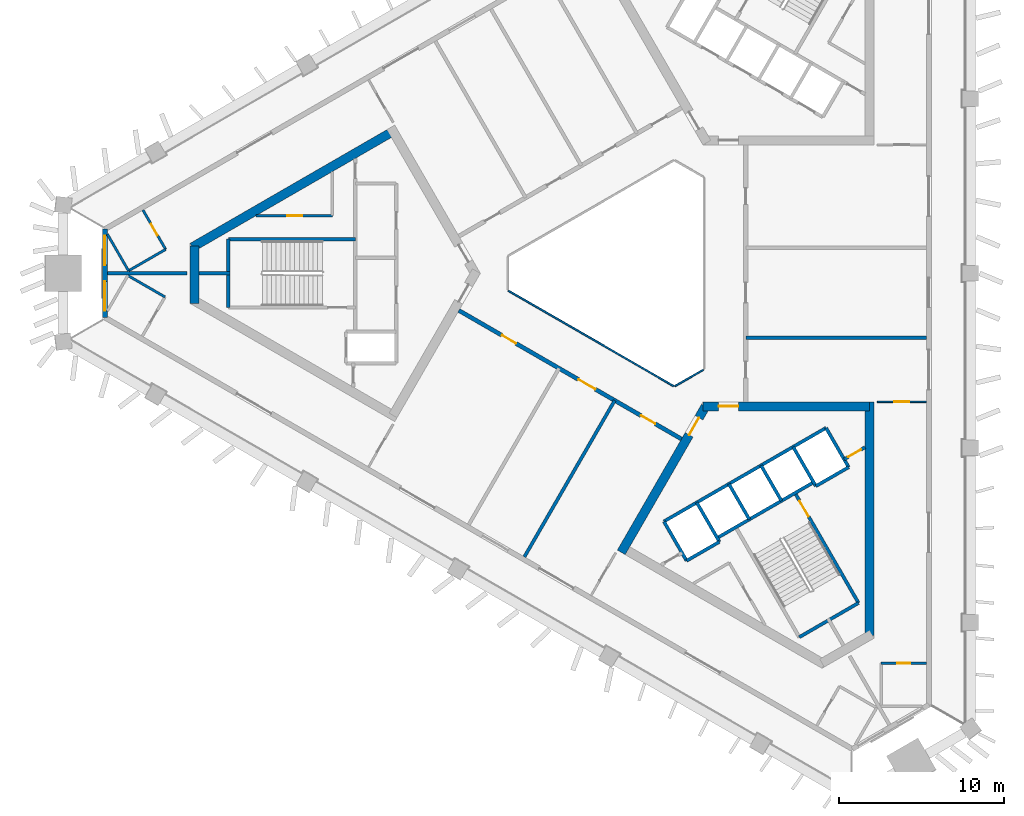
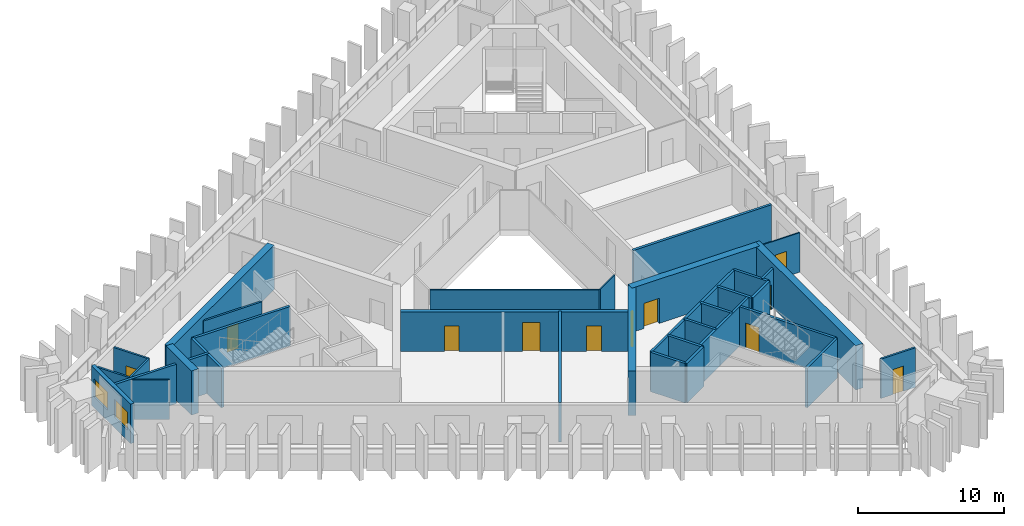
# One storey, part 3 of 9: 35 walls, 11 doors, 2 windows, 13 openings.
"""IFC4 building model written with IfcOpenShell, lengths in metres."""

from ifc_helpers import new_model, si_unit, direction, frame, frame_2d, origin, place, context, subcontext, project, spatial, rectangle, extrude, material, layer, layer_set, type_object, element, fill, save


model = new_model("IFC4")

# Units and contexts
model_context = context("Model", 3, precision=1e-05, world=origin(), true_north=direction((0.0, 1.0)))
body_context = subcontext(model_context, "Body", "Model", "MODEL_VIEW")
ifc_project = project(units=[si_unit("LENGTHUNIT", "METRE"), si_unit("AREAUNIT", "SQUARE_METRE"), si_unit("VOLUMEUNIT", "CUBIC_METRE"), si_unit("PLANEANGLEUNIT", "RADIAN"), si_unit("MASSUNIT", "GRAM", prefix="KILO")], contexts=[model_context])

# Site, building, storey
site_placement = place(None, origin())
site = spatial("IfcSite", under=ifc_project, at=site_placement, CompositionType="ELEMENT")
building_placement = place(site_placement, origin())
building = spatial("IfcBuilding", under=site, at=building_placement, Name="Jabali Bay Hotel Tower and Convention Centre", CompositionType="ELEMENT")
storey_placement = place(building_placement, frame((0.0, 0.0, 193.300048828125)))
storey = spatial("IfcBuildingStorey", under=building, at=storey_placement, Name="L47", CompositionType="ELEMENT", Elevation=193.300048828125)

# Walls
ifc_material_1 = material(Name="Fire-resistant glazing", Category="glass")
ifc_layer_1 = layer(ifc_material_1, 0.10009765625)
ifc_layer_set_1 = layer_set([ifc_layer_1], Name="Fire-resistant glazing")
wall_type_1 = type_object("IfcWallType", Name="Atrium glazed screen 100", PredefinedType="PARTITIONING", material=ifc_layer_set_1)
wall_1_placement = place(storey_placement, frame((67.7021484375, 78.947998046875, 0.0), z_axis=(0.0, 0.0, 1.0), x_axis=(0.866026658274, -0.499997827154, 0.0)))
element("IfcWall", 1, at=wall_1_placement, inside=storey, type_object=wall_type_1, Name="Atrium screen 5 L47", PredefinedType="PARTITIONING", context=body_context, shape_type="SweptSolid", body=[
    extrude(rectangle(XDim=11.58837890625, YDim=0.10009765625, at=frame_2d((5.794189453125, 0.0))), origin(), (0.0, 0.0, 1.0), 3.300048828125),
])
wall_2_placement = place(storey_placement, frame((77.7978515625, 73.15380859375, 0.0), z_axis=(0.0, 0.0, 1.0), x_axis=(0.866041268327, 0.499972520799, 0.0)))
element("IfcWall", 2, at=wall_2_placement, inside=storey, type_object=wall_type_1, Name="Atrium screen 6 L47", PredefinedType="PARTITIONING", context=body_context, shape_type="SweptSolid", body=[
    extrude(rectangle(XDim=2.0, YDim=0.10009765625, at=frame_2d((1.0, 0.0))), origin(), (0.0, 0.0, 1.0), 3.300048828125),
])
ifc_material_2 = material(Name="Concrete C40", Category="concrete")
ifc_layer_2 = layer(ifc_material_2, 0.199951171875)
ifc_layer_set_2 = layer_set([ifc_layer_2], Name="Concrete C40")
wall_type_2 = type_object("IfcWallType", Name="Core partition wall 200", PredefinedType="PARTITIONING", material=ifc_layer_set_2)
wall_3_placement = place(storey_placement, frame((50.820068359375, 80.0, 0.0), z_axis=(0.0, 0.0, 1.0), x_axis=(-1.0, 0.0, 0.0)))
element("IfcWall", 3, at=wall_3_placement, inside=storey, type_object=wall_type_2, Name="Core wall 0.4 L47", PredefinedType="PARTITIONING", context=body_context, shape_type="SweptSolid", body=[
    extrude(rectangle(XDim=1.873046875, YDim=0.199951171875, at=frame_2d((0.9365234375, 0.0))), origin(), (0.0, 0.0, 1.0), 3.300048828125),
])

# Wall, opening, door
wall_4_placement = place(storey_placement, frame((88.064697265625, 68.72119140625, 0.0), z_axis=(0.0, 0.0, 1.0), x_axis=(0.865982457891, 0.500074377092, 0.0)))
wall_4 = element("IfcWall", 4, at=wall_4_placement, inside=storey, type_object=wall_type_2, Name="Core wall 2.12 L47", PredefinedType="PARTITIONING", context=body_context, shape_type="SweptSolid", body=[
    extrude(rectangle(XDim=1.461181640625, YDim=0.199951171875, at=frame_2d((0.73046875, 0.0))), origin(), (0.0, 0.0, 1.0), 3.300048828125),
])
opening_1_placement = place(wall_4_placement, frame((0.280517578125, 0.0, 0.0)))
opening_1 = element("IfcOpeningElement", 5, at=opening_1_placement, cuts=wall_4, Name="Opening D1024", PredefinedType="OPENING", context=body_context, shape_type="SweptSolid", body=[
    extrude(rectangle(XDim=0.89990234375, YDim=2.10009765625, at=frame_2d((0.449951171875, 1.050048828125))), frame((0.0, 0.1103515625, 0.0), z_axis=(0.0, -1.0, 0.0), x_axis=(1.0, 0.0, 0.0)), (0.0, 0.0, 1.0), 0.220947265625),
])
ifc_material_3 = material(Name="Fire-rated steel door", Category="steel")
door_type_1 = type_object("IfcDoorType", Name="Vestibule fire door 900 x 2100", OperationType="NOTDEFINED", PredefinedType="NOTDEFINED", material=ifc_material_3)
door_1_placement = place(opening_1_placement, origin())
door_1 = element("IfcDoor", 6, at=door_1_placement, inside=storey, type_object=door_type_1, Name="Vestibule fire door D1024", OperationType="SINGLE_SWING_LEFT", OverallHeight=2.10009765625, OverallWidth=0.89990234375, PredefinedType="NOTDEFINED", context=body_context, shape_type="SweptSolid", body=[
    extrude(rectangle(XDim=0.89990234375, YDim=2.10009765625, at=frame_2d((0.449951171875, 1.050048828125))), frame((0.0, 0.02490234375, 0.0), z_axis=(0.0, -1.0, 0.0), x_axis=(1.0, 0.0, 0.0)), (0.0, 0.0, 1.0), 0.050048828125),
])
fill(opening_1, door_1)

ifc_material_4 = material(Name="Fire-rated board partition")
ifc_layer_3 = layer(ifc_material_4, 0.14990234375)
ifc_layer_set_3 = layer_set([ifc_layer_3], Name="Fire-rated board partition")
wall_type_3 = type_object("IfcWallType", Name="Core room partition 150", PredefinedType="PARTITIONING", material=ifc_layer_set_3)
wall_5_placement = place(storey_placement, frame((57.02001953125, 83.5, 0.0), z_axis=(0.0, 0.0, 1.0), x_axis=(-1.0, 0.0, 0.0)))
wall_5 = element("IfcWall", 7, at=wall_5_placement, inside=storey, type_object=wall_type_3, Name="Core wall 0.1 L47", PredefinedType="PARTITIONING", context=body_context, shape_type="SweptSolid", body=[
    extrude(rectangle(XDim=4.617919921875, YDim=0.14990234375, at=frame_2d((2.30908203125, 0.0))), origin(), (0.0, 0.0, 1.0), 3.300048828125),
])
opening_2_placement = place(wall_5_placement, frame((1.83154296875, 0.0, 0.0)))
opening_2 = element("IfcOpeningElement", 8, at=opening_2_placement, cuts=wall_5, Name="Opening D1015", PredefinedType="OPENING", context=body_context, shape_type="SweptSolid", body=[
    extrude(rectangle(XDim=0.89990234375, YDim=2.10009765625, at=frame_2d((0.449951171875, 1.050048828125))), frame((0.0, 0.08544921875, 0.0), z_axis=(0.0, -1.0, 0.0), x_axis=(1.0, 0.0, 0.0)), (0.0, 0.0, 1.0), 0.1708984375),
])
door_type_2 = type_object("IfcDoorType", Name="Core room door 900 x 2100", OperationType="NOTDEFINED", PredefinedType="NOTDEFINED", material=ifc_material_3)
door_2_placement = place(opening_2_placement, origin())
door_2 = element("IfcDoor", 9, at=door_2_placement, inside=storey, type_object=door_type_2, Name="Core room door D1015", OperationType="SINGLE_SWING_LEFT", OverallHeight=2.10009765625, OverallWidth=0.89990234375, PredefinedType="NOTDEFINED", context=body_context, shape_type="SweptSolid", body=[
    extrude(rectangle(XDim=0.89990234375, YDim=2.10009765625, at=frame_2d((0.449951171875, 1.050048828125))), frame((0.0, 0.02490234375, 0.0), z_axis=(0.0, -1.0, 0.0), x_axis=(1.0, 0.0, 0.0)), (0.0, 0.0, 1.0), 0.050048828125),
])
fill(opening_2, door_2)

# Walls
ifc_layer_4 = layer(ifc_material_2, 0.199951171875)
ifc_layer_set_4 = layer_set([ifc_layer_4], Name="Concrete C40")
wall_type_4 = type_object("IfcWallType", Name="Core stair wall 200", PredefinedType="SOLIDWALL", material=ifc_layer_set_4)
wall_6_placement = place(storey_placement, frame((58.419921875, 82.074951171875, 0.0), z_axis=(0.0, 0.0, 1.0), x_axis=(-1.0, 0.0, 0.0)))
element("IfcWall", 10, at=wall_6_placement, inside=storey, type_object=wall_type_4, Name="Core wall 0.2 L47", PredefinedType="SOLIDWALL", context=body_context, shape_type="SweptSolid", body=[
    extrude(rectangle(XDim=7.699951171875, YDim=0.199951171875, at=frame_2d((3.85009765625, 0.0))), origin(), (0.0, 0.0, 1.0), 3.300048828125),
])
wall_7_placement = place(storey_placement, frame((50.719970703125, 82.074951171875, 0.0), z_axis=(0.0, 0.0, 1.0), x_axis=(0.0, -1.0, 0.0)))
element("IfcWall", 11, at=wall_7_placement, inside=storey, type_object=wall_type_4, Name="Core wall 0.13 L47", PredefinedType="SOLIDWALL", context=body_context, shape_type="SweptSolid", body=[
    extrude(rectangle(XDim=4.14990234375, YDim=0.199951171875, at=frame_2d((2.074951171875, 0.0))), origin(), (0.0, 0.0, 1.0), 3.300048828125),
])
for number, where, z_axis, x_axis, name in (
    (12, (77.13525390625, 64.95166015625, 0.0), (0.0, 0.0, 1.0), (0.499996545922, -0.866027397988, 0.0), "Core wall 2.0 L47"),
    (13, (79.127197265625, 66.1015625, 0.0), (0.0, 0.0, 1.0), (0.499996545922, -0.866027397988, 0.0), "Core wall 2.2 L47"),
):
    element("IfcWall", number, at=place(storey_placement, frame(where, z_axis=z_axis, x_axis=x_axis)), inside=storey, type_object=wall_type_4, Name=name, PredefinedType="SOLIDWALL", context=body_context, shape_type="SweptSolid", body=[
        extrude(rectangle(XDim=2.75, YDim=0.199951171875, at=frame_2d((1.375, 0.0))), origin(), (0.0, 0.0, 1.0), 3.300048828125),
    ])
for number, where, z_axis, x_axis, name in (
    (14, (81.07568359375, 67.2265625, 0.0), (0.0, 0.0, 1.0), (0.50000366821, -0.866023285932, 0.0), "Core wall 2.4 L47"),
    (15, (83.024169921875, 68.3515625, 0.0), (0.0, 0.0, 1.0), (0.50000366821, -0.866023285932, 0.0), "Core wall 2.6 L47"),
):
    element("IfcWall", number, at=place(storey_placement, frame(where, z_axis=z_axis, x_axis=x_axis)), inside=storey, type_object=wall_type_4, Name=name, PredefinedType="SOLIDWALL", context=body_context, shape_type="SweptSolid", body=[
        extrude(rectangle(XDim=2.47998046875, YDim=0.199951171875, at=frame_2d((1.239990234375, 0.0))), origin(), (0.0, 0.0, 1.0), 3.300048828125),
    ])

# Wall, opening, door
wall_8_placement = place(storey_placement, frame((85.0869140625, 66.6787109375, 0.0), z_axis=(0.0, 0.0, 1.0), x_axis=(0.500019787375, -0.866013979237, 0.0)))
wall_8 = element("IfcWall", 16, at=wall_8_placement, inside=storey, type_object=wall_type_4, Name="Core wall 2.7 L47", PredefinedType="SOLIDWALL", context=body_context, shape_type="SweptSolid", body=[
    extrude(rectangle(XDim=7.699951171875, YDim=0.199951171875, at=frame_2d((3.85009765625, 0.0))), origin(), (0.0, 0.0, 1.0), 3.300048828125),
])
opening_3_placement = place(wall_8_placement, frame((0.550048828125, 0.0, 0.0)))
opening_3 = element("IfcOpeningElement", 17, at=opening_3_placement, cuts=wall_8, Name="Opening D1026", PredefinedType="OPENING", context=body_context, shape_type="SweptSolid", body=[
    extrude(rectangle(XDim=1.10009765625, YDim=2.10009765625, at=frame_2d((0.550048828125, 1.050048828125))), frame((0.0, 0.1103515625, 0.0), z_axis=(0.0, -1.0, 0.0), x_axis=(1.0, 0.0, 0.0)), (0.0, 0.0, 1.0), 0.220947265625),
])
door_type_3 = type_object("IfcDoorType", Name="Stair fire door 1100 x 2100", OperationType="NOTDEFINED", PredefinedType="NOTDEFINED", material=ifc_material_3)
door_3_placement = place(opening_3_placement, origin())
door_3 = element("IfcDoor", 18, at=door_3_placement, inside=storey, type_object=door_type_3, Name="Stair fire door D1026", OperationType="SINGLE_SWING_RIGHT", OverallHeight=2.10009765625, OverallWidth=1.10009765625, PredefinedType="NOTDEFINED", context=body_context, shape_type="SweptSolid", body=[
    extrude(rectangle(XDim=1.10009765625, YDim=2.10009765625, at=frame_2d((0.550048828125, 1.050048828125))), frame((0.0, 0.02490234375, 0.0), z_axis=(0.0, -1.0, 0.0), x_axis=(1.0, 0.0, 0.0)), (0.0, 0.0, 1.0), 0.050048828125),
])
fill(opening_3, door_3)

# Walls
for number, where, z_axis, x_axis, name in (
    (19, (84.972900390625, 69.4765625, 0.0), (0.0, 0.0, 1.0), (0.499996545922, -0.866027397988, 0.0), "Core wall 2.8 L47"),
    (20, (86.964599609375, 70.62646484375, 0.0), (0.0, 0.0, 1.0), (0.499996545922, -0.866027397988, 0.0), "Core wall 2.9 L47"),
):
    element("IfcWall", number, at=place(storey_placement, frame(where, z_axis=z_axis, x_axis=x_axis)), inside=storey, type_object=wall_type_4, Name=name, PredefinedType="SOLIDWALL", context=body_context, shape_type="SweptSolid", body=[
        extrude(rectangle(XDim=2.75, YDim=0.199951171875, at=frame_2d((1.375, 0.0))), origin(), (0.0, 0.0, 1.0), 3.300048828125),
    ])
wall_9_placement = place(storey_placement, frame((77.13525390625, 64.95166015625, 0.0), z_axis=(0.0, 0.0, 1.0), x_axis=(0.866031916153, 0.499988720078, 0.0)))
element("IfcWall", 21, at=wall_9_placement, inside=storey, type_object=wall_type_4, Name="Core wall 2.10 L47", PredefinedType="SOLIDWALL", context=body_context, shape_type="SweptSolid", body=[
    extrude(rectangle(XDim=11.349853515625, YDim=0.199951171875, at=frame_2d((5.6748046875, 0.0))), origin(), (0.0, 0.0, 1.0), 3.300048828125),
])
wall_10_placement = place(storey_placement, frame((80.3671875, 63.953857421875, 0.0), z_axis=(0.0, 0.0, 1.0), x_axis=(0.866026575979, 0.499997969693, 0.0)))
element("IfcWall", 22, at=wall_10_placement, inside=storey, type_object=wall_type_4, Name="Core wall 2.13 L47", PredefinedType="SOLIDWALL", context=body_context, shape_type="SweptSolid", body=[
    extrude(rectangle(XDim=6.75, YDim=0.199951171875, at=frame_2d((3.375, 0.0))), origin(), (0.0, 0.0, 1.0), 3.300048828125),
])
wall_11_placement = place(storey_placement, frame((78.51025390625, 62.570068359375, 0.0), z_axis=(0.0, 0.0, 1.0), x_axis=(0.866053019151, 0.499952165731, 0.0)))
element("IfcWall", 23, at=wall_11_placement, inside=storey, type_object=wall_type_4, Name="Core wall 2.14 L47", PredefinedType="SOLIDWALL", context=body_context, shape_type="SweptSolid", body=[
    extrude(rectangle(XDim=2.300048828125, YDim=0.199951171875, at=frame_2d((1.14990234375, 0.0))), origin(), (0.0, 0.0, 1.0), 3.300048828125),
])
wall_12_placement = place(storey_placement, frame((86.347900390625, 67.094970703125, 0.0), z_axis=(0.0, 0.0, 1.0), x_axis=(0.86602648383, 0.499998129301, 0.0)))
element("IfcWall", 24, at=wall_12_placement, inside=storey, type_object=wall_type_4, Name="Core wall 2.15 L47", PredefinedType="SOLIDWALL", context=body_context, shape_type="SweptSolid", body=[
    extrude(rectangle(XDim=2.2998046875, YDim=0.199951171875, at=frame_2d((1.14990234375, 0.0))), origin(), (0.0, 0.0, 1.0), 3.300048828125),
])
wall_13_placement = place(storey_placement, frame((85.343017578125, 57.935302734375, 0.0), z_axis=(0.0, 0.0, 1.0), x_axis=(0.866004344652, 0.500036473714, 0.0)))
element("IfcWall", 25, at=wall_13_placement, inside=storey, type_object=wall_type_4, Name="Core wall 2.17 L47", PredefinedType="SOLIDWALL", context=body_context, shape_type="SweptSolid", body=[
    extrude(rectangle(XDim=4.150146484375, YDim=0.199951171875, at=frame_2d((2.0751953125, 0.0))), origin(), (0.0, 0.0, 1.0), 3.300048828125),
])
ifc_material_5 = material(Name="Concrete C60", Category="concrete")
ifc_layer_5 = layer(ifc_material_5, 0.550048828125)
ifc_layer_set_5 = layer_set([ifc_layer_5], Name="Concrete C60")
wall_type_5 = type_object("IfcWallType", Name="Core wall 550", PredefinedType="SHEAR", material=ifc_layer_set_5)
wall_14_placement = place(storey_placement, frame((60.709228515625, 88.61376953125, 0.0), z_axis=(0.0, 0.0, 1.0), x_axis=(-0.866020164116, -0.500009075263, 0.0)))
element("IfcWall", 26, at=wall_14_placement, inside=storey, type_object=wall_type_5, Name="Core wall 1.2 L47", PredefinedType="SHEAR", context=body_context, shape_type="SweptSolid", body=[
    extrude(rectangle(XDim=14.058349609375, YDim=0.550048828125, at=frame_2d((7.029296875, 0.0))), origin(), (0.0, 0.0, 1.0), 3.699951171875),
])
wall_15_placement = place(storey_placement, frame((48.671875, 81.663818359375, 0.0), z_axis=(0.0, 0.0, 1.0), x_axis=(0.0, -1.0, 0.0)))
element("IfcWall", 27, at=wall_15_placement, inside=storey, type_object=wall_type_5, Name="Core wall 1.3 L47", PredefinedType="SHEAR", context=body_context, shape_type="SweptSolid", body=[
    extrude(rectangle(XDim=3.486572265625, YDim=0.550048828125, at=frame_2d((1.7431640625, 0.0))), origin(), (0.0, 0.0, 1.0), 3.699951171875),
])

# Wall, opening, door
wall_16_placement = place(storey_placement, frame((79.65869140625, 71.9306640625, 0.0), z_axis=(0.0, 0.0, 1.0), x_axis=(-0.500000202252, -0.866025287014, 0.0)))
wall_16 = element("IfcWall", 28, at=wall_16_placement, inside=storey, type_object=wall_type_5, Name="Core wall 3.1 L47", PredefinedType="SHEAR", context=body_context, shape_type="SweptSolid", body=[
    extrude(rectangle(XDim=10.22119140625, YDim=0.550048828125, at=frame_2d((5.110595703125, 0.0))), origin(), (0.0, 0.0, 1.0), 3.699951171875),
])
opening_4_placement = place(wall_16_placement, frame((0.791259765625, 0.0, 0.0)))
opening_4 = element("IfcOpeningElement", 29, at=opening_4_placement, cuts=wall_16, Name="Opening D1022", PredefinedType="OPENING", context=body_context, shape_type="SweptSolid", body=[
    extrude(rectangle(XDim=1.199951171875, YDim=2.10009765625, at=frame_2d((0.60009765625, 1.050048828125))), frame((0.0, 0.28564453125, 0.0), z_axis=(0.0, -1.0, 0.0), x_axis=(1.0, 0.0, 0.0)), (0.0, 0.0, 1.0), 0.571044921875),
])
door_type_4 = type_object("IfcDoorType", Name="Corridor end fire door 1200 x 2100", OperationType="NOTDEFINED", PredefinedType="NOTDEFINED", material=ifc_material_3)
door_4_placement = place(opening_4_placement, origin())
door_4 = element("IfcDoor", 30, at=door_4_placement, inside=storey, type_object=door_type_4, Name="Corridor end fire door D1022", OperationType="SINGLE_SWING_RIGHT", OverallHeight=2.10009765625, OverallWidth=1.199951171875, PredefinedType="NOTDEFINED", context=body_context, shape_type="SweptSolid", body=[
    extrude(rectangle(XDim=1.199951171875, YDim=2.10009765625, at=frame_2d((0.60009765625, 1.050048828125))), frame((0.0, 0.02490234375, 0.0), z_axis=(0.0, -1.0, 0.0), x_axis=(1.0, 0.0, 0.0)), (0.0, 0.0, 1.0), 0.050048828125),
])
fill(opening_4, door_4)

# Wall
wall_17_placement = place(storey_placement, frame((89.60498046875, 58.03125, 0.0), z_axis=(0.0, 0.0, 1.0), x_axis=(0.0, 1.0, 0.0)))
element("IfcWall", 31, at=wall_17_placement, inside=storey, type_object=wall_type_5, Name="Core wall 3.4 L47", PredefinedType="SHEAR", context=body_context, shape_type="SweptSolid", body=[
    extrude(rectangle(XDim=14.174560546875, YDim=0.550048828125, at=frame_2d((7.08740234375, 0.0))), origin(), (0.0, 0.0, 1.0), 3.699951171875),
])

# Wall, opening, door
wall_18_placement = place(storey_placement, frame((89.60498046875, 71.9306640625, 0.0), z_axis=(0.0, 0.0, 1.0), x_axis=(-1.0, 0.0, 0.0)))
wall_18 = element("IfcWall", 32, at=wall_18_placement, inside=storey, type_object=wall_type_5, Name="Core wall 3.5 L47", PredefinedType="SHEAR", context=body_context, shape_type="SweptSolid", body=[
    extrude(rectangle(XDim=10.10498046875, YDim=0.550048828125, at=frame_2d((5.052490234375, 0.0))), origin(), (0.0, 0.0, 1.0), 3.699951171875),
])
opening_5_placement = place(wall_18_placement, frame((7.955078125, 0.0, 0.0)))
opening_5 = element("IfcOpeningElement", 33, at=opening_5_placement, cuts=wall_18, Name="Opening D1023", PredefinedType="OPENING", context=body_context, shape_type="SweptSolid", body=[
    extrude(rectangle(XDim=1.199951171875, YDim=2.10009765625, at=frame_2d((0.60009765625, 1.050048828125))), frame((0.0, 0.28564453125, 0.0), z_axis=(0.0, -1.0, 0.0), x_axis=(1.0, 0.0, 0.0)), (0.0, 0.0, 1.0), 0.571044921875),
])
door_5_placement = place(opening_5_placement, origin())
door_5 = element("IfcDoor", 34, at=door_5_placement, inside=storey, type_object=door_type_4, Name="Corridor end fire door D1023", OperationType="SINGLE_SWING_LEFT", OverallHeight=2.10009765625, OverallWidth=1.199951171875, PredefinedType="NOTDEFINED", context=body_context, shape_type="SweptSolid", body=[
    extrude(rectangle(XDim=1.199951171875, YDim=2.10009765625, at=frame_2d((0.60009765625, 1.050048828125))), frame((0.0, 0.02490234375, 0.0), z_axis=(0.0, -1.0, 0.0), x_axis=(1.0, 0.0, 0.0)), (0.0, 0.0, 1.0), 0.050048828125),
])
fill(opening_5, door_5)

# Wall, openings, doors
ifc_layer_6 = layer(ifc_material_5, 0.25)
ifc_layer_set_6 = layer_set([ifc_layer_6], Name="Concrete C60")
wall_type_6 = type_object("IfcWallType", Name="Corridor wall 250", PredefinedType="SHEAR", material=ifc_layer_set_6)
wall_19_placement = place(storey_placement, frame((64.699951171875, 77.748291015625, 0.0), z_axis=(0.0, 0.0, 1.0), x_axis=(0.866026492143, -0.499998114903, 0.0)))
wall_19 = element("IfcWall", 35, at=wall_19_placement, inside=storey, type_object=wall_type_6, Name="Corridor wall 3 L47", PredefinedType="SHEAR", context=body_context, shape_type="SweptSolid", body=[
    extrude(rectangle(XDim=15.58837890625, YDim=0.25, at=frame_2d((7.794189453125, 0.0))), origin(), (0.0, 0.0, 1.0), 3.300048828125),
])
opening_6_placement = place(wall_19_placement, frame((3.00732421875, 0.0, 0.0)))
opening_6 = element("IfcOpeningElement", 36, at=opening_6_placement, cuts=wall_19, Name="Opening 4716", PredefinedType="OPENING", context=body_context, shape_type="SweptSolid", body=[
    extrude(rectangle(XDim=1.0, YDim=2.10009765625, at=frame_2d((0.5, 1.050048828125))), frame((0.0, 0.135498046875, 0.0), z_axis=(0.0, -1.0, 0.0), x_axis=(1.0, 0.0, 0.0)), (0.0, 0.0, 1.0), 0.27099609375),
])
opening_7_placement = place(wall_19_placement, frame((8.36328125, 0.0, 0.0)))
opening_7 = element("IfcOpeningElement", 37, at=opening_7_placement, cuts=wall_19, Name="Opening 4719", PredefinedType="OPENING", context=body_context, shape_type="SweptSolid", body=[
    extrude(rectangle(XDim=1.199951171875, YDim=2.39990234375, at=frame_2d((0.60009765625, 1.199951171875))), frame((0.0, 0.135498046875, 0.0), z_axis=(0.0, -1.0, 0.0), x_axis=(1.0, 0.0, 0.0)), (0.0, 0.0, 1.0), 0.27099609375),
])
opening_8_placement = place(wall_19_placement, frame((12.750244140625, 0.0, 0.0)))
opening_8 = element("IfcOpeningElement", 38, at=opening_8_placement, cuts=wall_19, Name="Opening 4720", PredefinedType="OPENING", context=body_context, shape_type="SweptSolid", body=[
    extrude(rectangle(XDim=1.0, YDim=2.10009765625, at=frame_2d((0.5, 1.050048828125))), frame((0.0, 0.135498046875, 0.0), z_axis=(0.0, -1.0, 0.0), x_axis=(1.0, 0.0, 0.0)), (0.0, 0.0, 1.0), 0.27099609375),
])
ifc_material_6 = material(Name="Timber", Category="wood")
door_type_5 = type_object("IfcDoorType", Name="Guest room door 1000 x 2100", OperationType="NOTDEFINED", PredefinedType="NOTDEFINED", material=ifc_material_6)
door_6_placement = place(opening_6_placement, origin())
door_6 = element("IfcDoor", 39, at=door_6_placement, inside=storey, type_object=door_type_5, Name="Door 4716", OperationType="SINGLE_SWING_LEFT", OverallHeight=2.10009765625, OverallWidth=1.0, PredefinedType="NOTDEFINED", context=body_context, shape_type="SweptSolid", body=[
    extrude(rectangle(XDim=1.0, YDim=2.10009765625, at=frame_2d((0.5, 1.050048828125))), frame((0.0, 0.02490234375, 0.0), z_axis=(0.0, -1.0, 0.0), x_axis=(1.0, 0.0, 0.0)), (0.0, 0.0, 1.0), 0.050048828125),
])
fill(opening_6, door_6)
door_7_placement = place(opening_8_placement, origin())
door_7 = element("IfcDoor", 40, at=door_7_placement, inside=storey, type_object=door_type_5, Name="Door 4720", OperationType="SINGLE_SWING_RIGHT", OverallHeight=2.10009765625, OverallWidth=1.0, PredefinedType="NOTDEFINED", context=body_context, shape_type="SweptSolid", body=[
    extrude(rectangle(XDim=1.0, YDim=2.10009765625, at=frame_2d((0.5, 1.050048828125))), frame((0.0, 0.02490234375, 0.0), z_axis=(0.0, -1.0, 0.0), x_axis=(1.0, 0.0, 0.0)), (0.0, 0.0, 1.0), 0.050048828125),
])
fill(opening_8, door_7)
door_type_6 = type_object("IfcDoorType", Name="Public room door 1200 x 2400", OperationType="NOTDEFINED", PredefinedType="NOTDEFINED", material=ifc_material_6)
door_8_placement = place(opening_7_placement, origin())
door_8 = element("IfcDoor", 41, at=door_8_placement, inside=storey, type_object=door_type_6, Name="Door 4719", OperationType="SINGLE_SWING_RIGHT", OverallHeight=2.39990234375, OverallWidth=1.199951171875, PredefinedType="NOTDEFINED", context=body_context, shape_type="SweptSolid", body=[
    extrude(rectangle(XDim=1.199951171875, YDim=2.39990234375, at=frame_2d((0.60009765625, 1.199951171875))), frame((0.0, 0.02490234375, 0.0), z_axis=(0.0, -1.0, 0.0), x_axis=(1.0, 0.0, 0.0)), (0.0, 0.0, 1.0), 0.050048828125),
])
fill(opening_7, door_8)

# Wall, openings, windows
ifc_layer_7 = layer(ifc_material_2, 0.300048828125)
ifc_layer_set_7 = layer_set([ifc_layer_7], Name="Concrete C40")
wall_type_7 = type_object("IfcWallType", Name="External wall 300", PredefinedType="SOLIDWALL", material=ifc_layer_set_7)
wall_20_placement = place(storey_placement, frame((43.231689453125, 77.322265625, 0.0), z_axis=(0.0, 0.0, 1.0), x_axis=(0.0, 1.0, 0.0)))
wall_20 = element("IfcWall", 42, at=wall_20_placement, inside=storey, type_object=wall_type_7, Name="External wall west chamfer L47", PredefinedType="SOLIDWALL", context=body_context, shape_type="SweptSolid", body=[
    extrude(rectangle(XDim=5.35546875, YDim=0.300048828125, at=frame_2d((2.677734375, 0.0))), origin(), (0.0, 0.0, 1.0), 3.300048828125),
])
opening_9_placement = place(wall_20_placement, frame((3.172119140625, 0.0, 0.89990234375)))
opening_9 = element("IfcOpeningElement", 43, at=opening_9_placement, cuts=wall_20, Name="Opening W1", PredefinedType="OPENING", context=body_context, shape_type="SweptSolid", body=[
    extrude(rectangle(XDim=1.800048828125, YDim=1.5, at=frame_2d((0.89990234375, 0.75))), frame((0.0, 0.16064453125, 0.0), z_axis=(0.0, -1.0, 0.0), x_axis=(1.0, 0.0, 0.0)), (0.0, 0.0, 1.0), 0.321044921875),
])
opening_10_placement = place(wall_20_placement, frame((0.395263671875, 0.0, 0.89990234375)))
opening_10 = element("IfcOpeningElement", 44, at=opening_10_placement, cuts=wall_20, Name="Opening W1", PredefinedType="OPENING", context=body_context, shape_type="SweptSolid", body=[
    extrude(rectangle(XDim=1.800048828125, YDim=1.5, at=frame_2d((0.89990234375, 0.75))), frame((0.0, 0.16064453125, 0.0), z_axis=(0.0, -1.0, 0.0), x_axis=(1.0, 0.0, 0.0)), (0.0, 0.0, 1.0), 0.321044921875),
])
ifc_material_7 = material(Name="Glass", Category="glass")
window_type = type_object("IfcWindowType", Name="Window 1800 x 1500", PartitioningType="SINGLE_PANEL", PredefinedType="WINDOW", material=ifc_material_7)
window_1_placement = place(opening_9_placement, origin())
window_1 = element("IfcWindow", 45, at=window_1_placement, inside=storey, type_object=window_type, Name="Window 4706", OverallHeight=1.5, OverallWidth=1.800048828125, PartitioningType="SINGLE_PANEL", PredefinedType="WINDOW", context=body_context, shape_type="SweptSolid", body=[
    extrude(rectangle(XDim=1.800048828125, YDim=1.5, at=frame_2d((0.89990234375, 0.75))), frame((0.0, 0.030029296875, 0.0), z_axis=(0.0, -1.0, 0.0), x_axis=(1.0, 0.0, 0.0)), (0.0, 0.0, 1.0), 0.06005859375),
])
fill(opening_9, window_1)
window_2_placement = place(opening_10_placement, origin())
window_2 = element("IfcWindow", 46, at=window_2_placement, inside=storey, type_object=window_type, Name="Window 4707", OverallHeight=1.5, OverallWidth=1.800048828125, PartitioningType="SINGLE_PANEL", PredefinedType="WINDOW", context=body_context, shape_type="SweptSolid", body=[
    extrude(rectangle(XDim=1.800048828125, YDim=1.5, at=frame_2d((0.89990234375, 0.75))), frame((0.0, 0.030029296875, 0.0), z_axis=(0.0, -1.0, 0.0), x_axis=(1.0, 0.0, 0.0)), (0.0, 0.0, 1.0), 0.06005859375),
])
fill(opening_10, window_2)

# Wall, opening, door
ifc_material_8 = material(Name="Plasterboard on steel stud", Category="steel")
ifc_layer_8 = layer(ifc_material_8, 0.10009765625)
ifc_layer_set_8 = layer_set([ifc_layer_8], Name="Plasterboard on steel stud")
wall_type_8 = type_object("IfcWallType", Name="Partition 100 unit", PredefinedType="PARTITIONING", material=ifc_layer_set_8)
wall_21_placement = place(storey_placement, frame((90.0791015625, 72.205810546875, 0.0), z_axis=(0.0, 0.0, 1.0), x_axis=(1.0, 0.0, 0.0)))
wall_21 = element("IfcWall", 47, at=wall_21_placement, inside=storey, type_object=wall_type_8, Name="Partition P02 L47 001", PredefinedType="PARTITIONING", context=body_context, shape_type="SweptSolid", body=[
    extrude(rectangle(XDim=2.97509765625, YDim=0.10009765625, at=frame_2d((1.487548828125, 0.0))), origin(), (0.0, 0.0, 1.0), 3.300048828125),
])
opening_11_placement = place(wall_21_placement, frame((1.0380859375, 0.0, 0.0)))
opening_11 = element("IfcOpeningElement", 48, at=opening_11_placement, cuts=wall_21, Name="Opening 4702", PredefinedType="OPENING", context=body_context, shape_type="SweptSolid", body=[
    extrude(rectangle(XDim=0.89990234375, YDim=2.10009765625, at=frame_2d((0.449951171875, 1.050048828125))), frame((0.0, 0.060546875, 0.0), z_axis=(0.0, -1.0, 0.0), x_axis=(1.0, 0.0, 0.0)), (0.0, 0.0, 1.0), 0.12109375),
])
door_type_7 = type_object("IfcDoorType", Name="Internal door 900 x 2100", OperationType="NOTDEFINED", PredefinedType="NOTDEFINED", material=ifc_material_6)
door_9_placement = place(opening_11_placement, origin())
door_9 = element("IfcDoor", 49, at=door_9_placement, inside=storey, type_object=door_type_7, Name="Door 4702", OperationType="SINGLE_SWING_RIGHT", OverallHeight=2.10009765625, OverallWidth=0.89990234375, PredefinedType="NOTDEFINED", context=body_context, shape_type="SweptSolid", body=[
    extrude(rectangle(XDim=0.89990234375, YDim=2.10009765625, at=frame_2d((0.449951171875, 1.050048828125))), frame((0.0, 0.02490234375, 0.0), z_axis=(0.0, -1.0, 0.0), x_axis=(1.0, 0.0, 0.0)), (0.0, 0.0, 1.0), 0.050048828125),
])
fill(opening_11, door_9)

ifc_layer_9 = layer(ifc_material_8, 0.14990234375)
ifc_layer_set_9 = layer_set([ifc_layer_9], Name="Plasterboard on steel stud")
wall_type_9 = type_object("IfcWallType", Name="Partition 150 wet", PredefinedType="PARTITIONING", material=ifc_layer_set_9)
wall_22_placement = place(storey_placement, frame((90.301513671875, 56.35791015625, 0.0), z_axis=(0.0, 0.0, 1.0), x_axis=(1.0, 0.0, 0.0)))
wall_22 = element("IfcWall", 50, at=wall_22_placement, inside=storey, type_object=wall_type_9, Name="Partition P03 L47 005", PredefinedType="PARTITIONING", context=body_context, shape_type="SweptSolid", body=[
    extrude(rectangle(XDim=2.752685546875, YDim=0.14990234375, at=frame_2d((1.37646484375, 0.0))), origin(), (0.0, 0.0, 1.0), 3.300048828125),
])
opening_12_placement = place(wall_22_placement, frame((0.97607421875, 0.0, 0.0)))
opening_12 = element("IfcOpeningElement", 51, at=opening_12_placement, cuts=wall_22, Name="Opening 4703", PredefinedType="OPENING", context=body_context, shape_type="SweptSolid", body=[
    extrude(rectangle(XDim=0.800048828125, YDim=2.10009765625, at=frame_2d((0.39990234375, 1.050048828125))), frame((0.0, 0.08544921875, 0.0), z_axis=(0.0, -1.0, 0.0), x_axis=(1.0, 0.0, 0.0)), (0.0, 0.0, 1.0), 0.1708984375),
])
door_type_8 = type_object("IfcDoorType", Name="En-suite door 800 x 2100", OperationType="NOTDEFINED", PredefinedType="NOTDEFINED", material=ifc_material_6)
door_10_placement = place(opening_12_placement, origin())
door_10 = element("IfcDoor", 52, at=door_10_placement, inside=storey, type_object=door_type_8, Name="Door 4703", OperationType="SINGLE_SWING_RIGHT", OverallHeight=2.10009765625, OverallWidth=0.800048828125, PredefinedType="NOTDEFINED", context=body_context, shape_type="SweptSolid", body=[
    extrude(rectangle(XDim=0.800048828125, YDim=2.10009765625, at=frame_2d((0.39990234375, 1.050048828125))), frame((0.0, 0.02490234375, 0.0), z_axis=(0.0, -1.0, 0.0), x_axis=(1.0, 0.0, 0.0)), (0.0, 0.0, 1.0), 0.050048828125),
])
fill(opening_12, door_10)

wall_23_placement = place(storey_placement, frame((45.539794921875, 83.838134765625, 0.0), z_axis=(0.0, 0.0, 1.0), x_axis=(0.499983500429, -0.866034929606, 0.0)))
wall_23 = element("IfcWall", 53, at=wall_23_placement, inside=storey, type_object=wall_type_9, Name="Partition P03 L47 021", PredefinedType="PARTITIONING", context=body_context, shape_type="SweptSolid", body=[
    extrude(rectangle(XDim=2.75244140625, YDim=0.14990234375, at=frame_2d((1.376220703125, 0.0))), origin(), (0.0, 0.0, 1.0), 3.300048828125),
])
opening_13_placement = place(wall_23_placement, frame((0.97607421875, 0.0, 0.0)))
opening_13 = element("IfcOpeningElement", 54, at=opening_13_placement, cuts=wall_23, Name="Opening 4715", PredefinedType="OPENING", context=body_context, shape_type="SweptSolid", body=[
    extrude(rectangle(XDim=0.800048828125, YDim=2.10009765625, at=frame_2d((0.39990234375, 1.050048828125))), frame((0.0, 0.08544921875, 0.0), z_axis=(0.0, -1.0, 0.0), x_axis=(1.0, 0.0, 0.0)), (0.0, 0.0, 1.0), 0.1708984375),
])
door_11_placement = place(opening_13_placement, origin())
door_11 = element("IfcDoor", 55, at=door_11_placement, inside=storey, type_object=door_type_8, Name="Door 4715", OperationType="SINGLE_SWING_RIGHT", OverallHeight=2.10009765625, OverallWidth=0.800048828125, PredefinedType="NOTDEFINED", context=body_context, shape_type="SweptSolid", body=[
    extrude(rectangle(XDim=0.800048828125, YDim=2.10009765625, at=frame_2d((0.39990234375, 1.050048828125))), frame((0.0, 0.02490234375, 0.0), z_axis=(0.0, -1.0, 0.0), x_axis=(1.0, 0.0, 0.0)), (0.0, 0.0, 1.0), 0.050048828125),
])
fill(opening_13, door_11)

# Walls
wall_24_placement = place(storey_placement, frame((46.916015625, 81.454345703125, 0.0), z_axis=(0.0, 0.0, 1.0), x_axis=(-0.866021400173, -0.500006934395, 0.0)))
element("IfcWall", 56, at=wall_24_placement, inside=storey, type_object=wall_type_9, Name="Partition P03 L47 022", PredefinedType="PARTITIONING", context=body_context, shape_type="SweptSolid", body=[
    extrude(rectangle(XDim=2.60009765625, YDim=0.14990234375, at=frame_2d((1.300048828125, 0.0))), origin(), (0.0, 0.0, 1.0), 3.300048828125),
])
wall_25_placement = place(storey_placement, frame((44.664306640625, 80.154296875, 0.0), z_axis=(0.0, 0.0, 1.0), x_axis=(-0.49996389635, 0.866046247233, 0.0)))
element("IfcWall", 57, at=wall_25_placement, inside=storey, type_object=wall_type_9, Name="Partition P03 L47 023", PredefinedType="PARTITIONING", context=body_context, shape_type="SweptSolid", body=[
    extrude(rectangle(XDim=2.567626953125, YDim=0.14990234375, at=frame_2d((1.28369140625, 0.0))), origin(), (0.0, 0.0, 1.0), 3.300048828125),
])
wall_26_placement = place(storey_placement, frame((44.622802734375, 79.86962890625, 0.0), z_axis=(0.0, 0.0, 1.0), x_axis=(0.866021400173, -0.500006934395, 0.0)))
element("IfcWall", 58, at=wall_26_placement, inside=storey, type_object=wall_type_9, Name="Partition P03 L47 028", PredefinedType="PARTITIONING", context=body_context, shape_type="SweptSolid", body=[
    extrude(rectangle(XDim=2.60009765625, YDim=0.14990234375, at=frame_2d((1.300048828125, 0.0))), origin(), (0.0, 0.0, 1.0), 3.300048828125),
])
ifc_layer_10 = layer(ifc_material_8, 0.199951171875)
ifc_layer_set_10 = layer_set([ifc_layer_10], Name="Plasterboard on steel stud")
wall_type_10 = type_object("IfcWallType", Name="Partition 200 party", PredefinedType="PARTITIONING", material=ifc_layer_set_10)
wall_27_placement = place(storey_placement, frame((93.05419921875, 76.102783203125, 0.0), z_axis=(0.0, 0.0, 1.0), x_axis=(-1.0, 0.0, 0.0)))
element("IfcWall", 59, at=wall_27_placement, inside=storey, type_object=wall_type_10, Name="Partition P01 L47 002", PredefinedType="PARTITIONING", context=body_context, shape_type="SweptSolid", body=[
    extrude(rectangle(XDim=10.9541015625, YDim=0.199951171875, at=frame_2d((5.47705078125, 0.0))), origin(), (0.0, 0.0, 1.0), 3.300048828125),
])
wall_28_placement = place(storey_placement, frame((43.380615234375, 80.0, 0.0), z_axis=(0.0, 0.0, 1.0), x_axis=(1.0, 0.0, 0.0)))
element("IfcWall", 60, at=wall_28_placement, inside=storey, type_object=wall_type_10, Name="Partition P01 L47 024", PredefinedType="PARTITIONING", context=body_context, shape_type="SweptSolid", body=[
    extrude(rectangle(XDim=4.8173828125, YDim=0.199951171875, at=frame_2d((2.40869140625, 0.0))), origin(), (0.0, 0.0, 1.0), 3.300048828125),
])
wall_29_placement = place(storey_placement, frame((68.6728515625, 62.805908203125, 0.0), z_axis=(0.0, 0.0, 1.0), x_axis=(0.499998338299, 0.866026363166, 0.0)))
element("IfcWall", 61, at=wall_29_placement, inside=storey, type_object=wall_type_10, Name="Partition P01 L47 030", PredefinedType="PARTITIONING", context=body_context, shape_type="SweptSolid", body=[
    extrude(rectangle(XDim=10.9541015625, YDim=0.199951171875, at=frame_2d((5.47705078125, 0.0))), origin(), (0.0, 0.0, 1.0), 3.300048828125),
])

save(model, "model.ifc")
